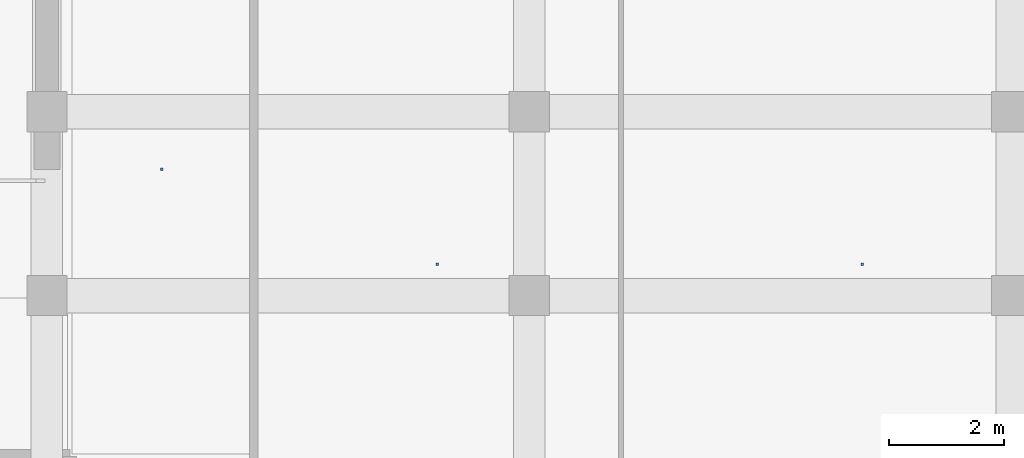
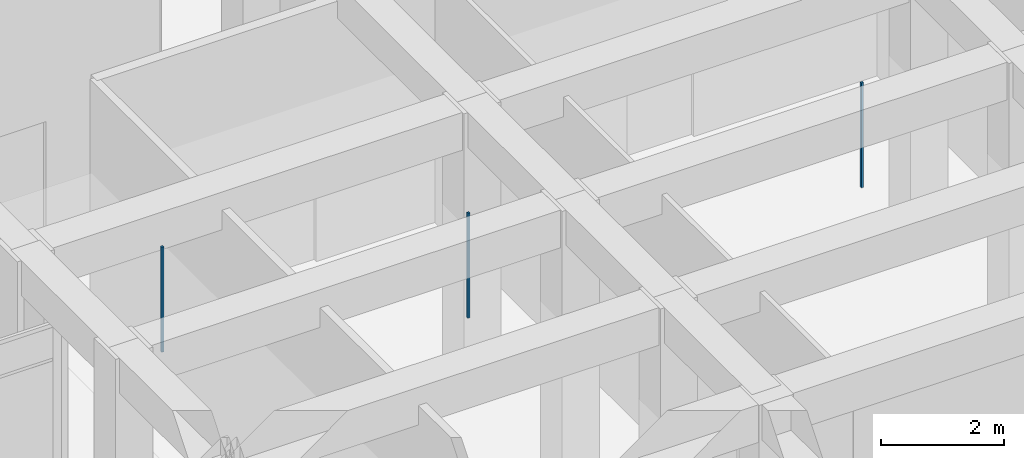
# One storey, part 118 of 167: 3 discrete accessories.
"""IFC4 building model written with IfcOpenShell, lengths in metres."""

from ifc_helpers import new_model, si_unit, direction, frame, origin, origin_2d, place, context, subcontext, project, spatial, rectangle, extrude, material, type_object, element, save


model = new_model("IFC4")

# Units and contexts
model_context = context("Model", 3, precision=1e-05, world=origin(), true_north=direction((0.0, 1.0)))
body_context = subcontext(model_context, "Body", "Model", "MODEL_VIEW")
ifc_project = project(units=[si_unit("LENGTHUNIT", "METRE"), si_unit("AREAUNIT", "SQUARE_METRE"), si_unit("VOLUMEUNIT", "CUBIC_METRE"), si_unit("PLANEANGLEUNIT", "RADIAN"), si_unit("MASSUNIT", "GRAM", prefix="KILO")], contexts=[model_context])

# Site, building, storey
site_placement = place(None, origin())
site = spatial("IfcSite", under=ifc_project, at=site_placement, CompositionType="ELEMENT")
building_placement = place(site_placement, origin())
building = spatial("IfcBuilding", under=site, at=building_placement, Name="Varncliffe General Hospital", CompositionType="ELEMENT")
storey_placement = place(building_placement, origin())
storey = spatial("IfcBuildingStorey", under=building, at=storey_placement, Name="L00", CompositionType="ELEMENT", Elevation=0.0)

# Discrete accessories
ifc_material = material(Name="Powder-coated hospital steel guardrail and handrail", Category="steel")
discrete_accessory_type = type_object("IfcDiscreteAccessoryType", Name="Suspended Ceiling Hanger Bracket CH01", PredefinedType="BRACKET", material=ifc_material)
for number, where, z_axis, x_axis, name in (
    (1, (111.199951171875, 108.199951171875, 3.18994140625), (0.0, 0.0, 1.0), (1.0, 0.0, 0.0), "L00 Suspended Ceiling Hanger 6"),
    (2, (116.0, 106.54248046875, 3.18994140625), (0.0, 0.0, 1.0), (1.0, 0.0, 0.0), "L00 Suspended Ceiling Hanger 90"),
    (3, (123.39990234375, 106.54248046875, 3.18994140625), (0.0, 0.0, 1.0), (1.0, 0.0, 0.0), "L00 Suspended Ceiling Hanger 91"),
):
    element("IfcDiscreteAccessory", number, at=place(storey_placement, frame(where, z_axis=z_axis, x_axis=x_axis)), inside=storey, type_object=discrete_accessory_type, Name=name, PredefinedType="BRACKET", context=body_context, shape_type="SweptSolid", body=[
        extrude(rectangle(XDim=0.0400390625, YDim=0.0400390625, at=origin_2d()), origin(), (0.0, 0.0, 1.0), 2.090087890625),
    ])

save(model, "model.ifc")
